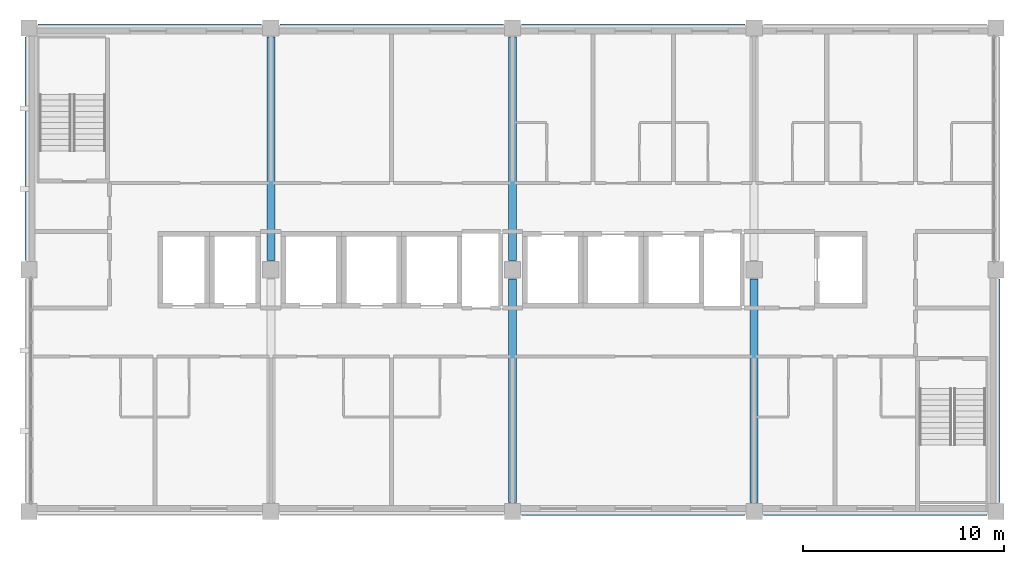
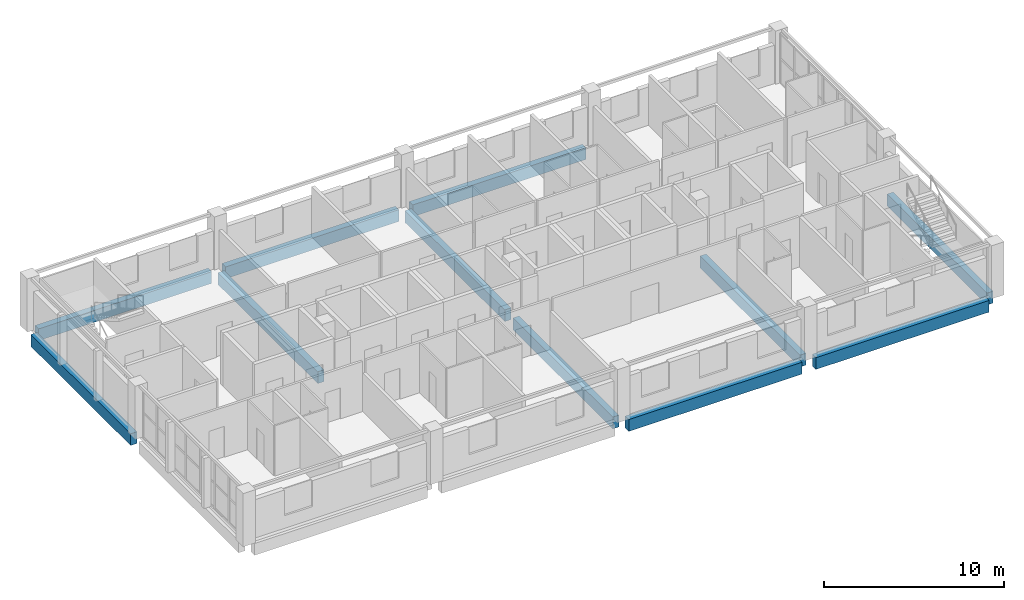
# One storey, part 3 of 11: 11 beams.
"""IFC4 building model written with IfcOpenShell, lengths in metres."""

from ifc_helpers import new_model, si_unit, direction, frame, origin, origin_2d, place, context, subcontext, project, spatial, rectangle, extrude, material, material_profile, profile_set, type_object, element, save


model = new_model("IFC4")

# Units and contexts
model_context = context("Model", 3, precision=1e-05, world=origin(), true_north=direction((0.0, 1.0)))
body_context = subcontext(model_context, "Body", "Model", "MODEL_VIEW")
ifc_project = project(units=[si_unit("LENGTHUNIT", "METRE"), si_unit("AREAUNIT", "SQUARE_METRE"), si_unit("VOLUMEUNIT", "CUBIC_METRE"), si_unit("PLANEANGLEUNIT", "RADIAN"), si_unit("MASSUNIT", "GRAM", prefix="KILO")], contexts=[model_context])

# Site, building, storey
site_placement = place(None, origin())
site = spatial("IfcSite", under=ifc_project, at=site_placement, CompositionType="ELEMENT")
building_placement = place(site_placement, origin())
building = spatial("IfcBuilding", under=site, at=building_placement, Name="Lilac Gate Convention Centre", CompositionType="ELEMENT")
storey_placement = place(building_placement, frame((0.0, 0.0, 35.39990234375)))
storey = spatial("IfcBuildingStorey", under=building, at=storey_placement, Name="L08", CompositionType="ELEMENT", Elevation=35.39990234375)

# Beams
ifc_material = material(Name="Concrete C40", Category="concrete")
ifc_material_profile = material_profile(ifc_material, rectangle(XDim=0.39990234375, YDim=0.800048828125, at=origin_2d()), Name="RC 400x800")
ifc_profile_set = profile_set([ifc_material_profile], Name="Concrete C40")
beam_type = type_object("IfcBeamType", Name="Tower primary beam 400x800 C40", PredefinedType="BEAM", material=ifc_profile_set)
for number, where, z_axis, x_axis, name in (
    (1, (66.449951171875, 222.0, -0.599853515625), (1.0, 0.0, 0.0), (0.0, 1.0, 0.0), "RB3 L08 6/S-7/S"),
    (2, (78.449951171875, 222.0, -0.599853515625), (1.0, 0.0, 0.0), (0.0, 1.0, 0.0), "RB3 L08 7/S-8/S"),
    (3, (42.449951171875, 246.0, -0.599853515625), (1.0, 0.0, 0.0), (0.0, 1.0, 0.0), "RB3 L08 4/U-5/U"),
    (4, (54.449951171875, 246.0, -0.599853515625), (1.0, 0.0, 0.0), (0.0, 1.0, 0.0), "RB3 L08 5/U-6/U"),
    (5, (66.449951171875, 246.0, -0.599853515625), (1.0, 0.0, 0.0), (0.0, 1.0, 0.0), "RB3 L08 6/U-7/U"),
    (6, (42.0, 234.449951171875, -0.599853515625), (0.0, 1.0, 0.0), (-1.0, 0.0, 0.0), "RB3 L08 4/T-4/U"),
    (7, (54.0, 234.449951171875, -0.599853515625), (0.0, 1.0, 0.0), (-1.0, 0.0, 0.0), "RB3 L08 5/T-5/U"),
    (8, (66.0, 222.449951171875, -0.599853515625), (0.0, 1.0, 0.0), (-1.0, 0.0, 0.0), "RB3 L08 6/S-6/T"),
    (9, (66.0, 234.449951171875, -0.599853515625), (0.0, 1.0, 0.0), (-1.0, 0.0, 0.0), "RB3 L08 6/T-6/U"),
    (10, (78.0, 222.449951171875, -0.599853515625), (0.0, 1.0, 0.0), (-1.0, 0.0, 0.0), "RB3 L08 7/S-7/T"),
    (11, (90.0, 222.449951171875, -0.599853515625), (0.0, 1.0, 0.0), (-1.0, 0.0, 0.0), "RB3 L08 8/S-8/T"),
):
    element("IfcBeam", number, at=place(storey_placement, frame(where, z_axis=z_axis, x_axis=x_axis)), inside=storey, type_object=beam_type, Name=name, PredefinedType="BEAM", context=body_context, shape_type="SweptSolid", body=[
        extrude(rectangle(XDim=0.39990234375, YDim=0.800048828125, at=origin_2d()), origin(), (0.0, 0.0, 1.0), 11.10009765625),
    ])

save(model, "model.ifc")
